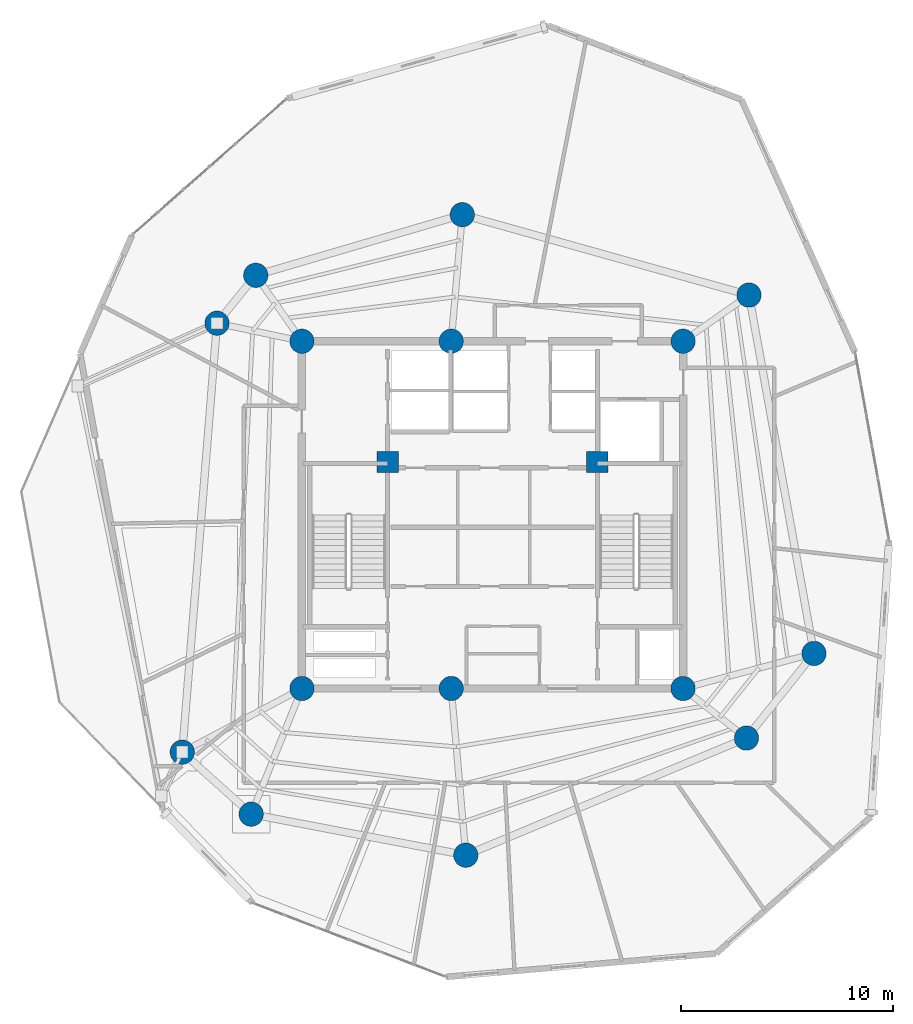
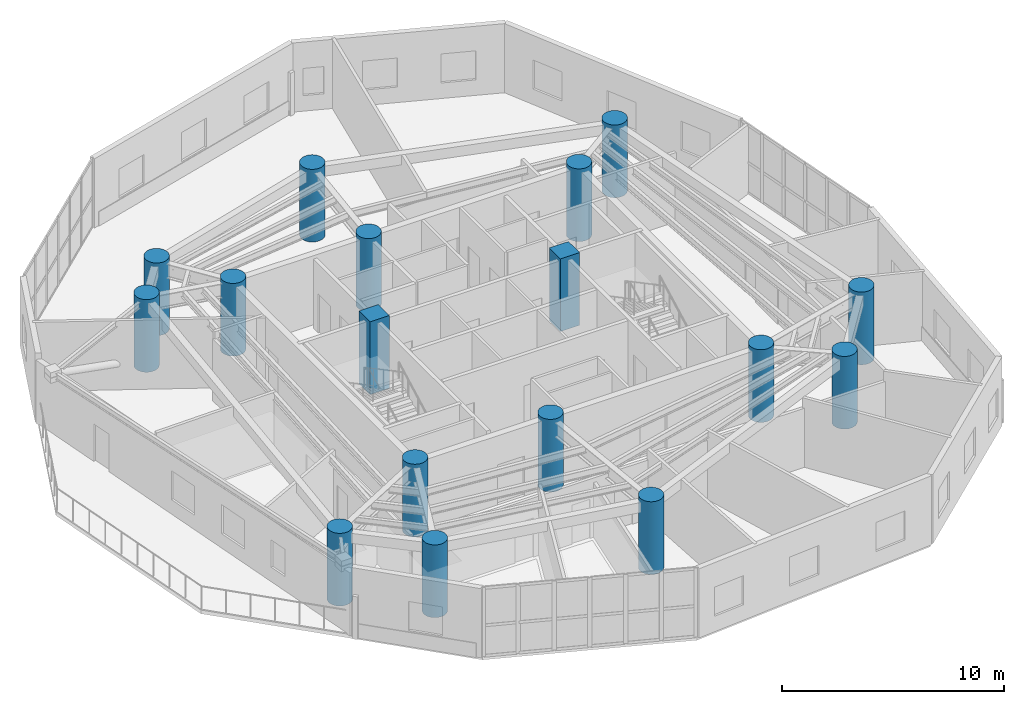
# One storey, part 1 of 12: 17 columns.
"""IFC4 building model written with IfcOpenShell, lengths in metres."""

from ifc_helpers import new_model, si_unit, direction, frame, origin, origin_with_axes, origin_2d, place, context, subcontext, project, spatial, rectangle, circle, extrude, source, transform, mapped, material, material_profile, profile_set, type_object, element, save


model = new_model("IFC4")

# Units and contexts
model_context = context("Model", 3, precision=1e-05, world=origin(), true_north=direction((0.0, 1.0)))
body_context = subcontext(model_context, "Body", "Model", "MODEL_VIEW")
ifc_project = project(units=[si_unit("LENGTHUNIT", "METRE"), si_unit("AREAUNIT", "SQUARE_METRE"), si_unit("VOLUMEUNIT", "CUBIC_METRE"), si_unit("PLANEANGLEUNIT", "RADIAN"), si_unit("MASSUNIT", "GRAM", prefix="KILO")], contexts=[model_context])

# Site, building, storey
site_placement = place(None, origin())
site = spatial("IfcSite", under=ifc_project, at=site_placement, CompositionType="ELEMENT")
building_placement = place(site_placement, origin())
building = spatial("IfcBuilding", under=site, at=building_placement, Name="Karkom Vertical University and Central Library", CompositionType="ELEMENT")
storey_placement = place(building_placement, frame((0.0, 0.0, 212.89990234375)))
storey = spatial("IfcBuildingStorey", under=building, at=storey_placement, Name="L62", CompositionType="ELEMENT", Elevation=212.89990234375)

# Columns
ifc_material_1 = material(Name="Concrete C50/60", Category="concrete")
ifc_material_profile_1 = material_profile(ifc_material_1, rectangle(XDim=1.0, YDim=1.0, at=origin_2d()), Name="RC-1000x1000")
ifc_profile_set_1 = profile_set([ifc_material_profile_1], Name="Concrete C50/60")
column_type_1 = type_object("IfcColumnType", Name="STR-COL-C-CC2", PredefinedType="COLUMN", material=ifc_profile_set_1)
shared_shape_1 = source(origin_with_axes(), body_context, "Body", "SweptSolid", [
    extrude(rectangle(XDim=1.0, YDim=1.0, at=origin_2d()), origin(), (0.0, 0.0, 1.0), 4.0),
])
for number, where, z_axis, x_axis, name in (
    (1, (23.550048828125, 29.0, 0.0), (0.0, 0.0, 1.0), (1.0, 0.0, 0.0), "Level 62 Core Node Column CC-1"),
    (2, (33.449951171875, 29.0, 0.0), (0.0, 0.0, 1.0), (1.0, 0.0, 0.0), "Level 62 Core Node Column CC-2"),
):
    element("IfcColumn", number, at=place(storey_placement, frame(where, z_axis=z_axis, x_axis=x_axis)), inside=storey, type_object=column_type_1, Name=name, PredefinedType="COLUMN", context=body_context, shape_type="MappedRepresentation", body=[
        mapped(shared_shape_1, transform((0.0, 0.0, 0.0), scale=1.0)),
    ])
ifc_material_2 = material(Name="Concrete C45/55", Category="concrete")
ifc_material_profile_2 = material_profile(ifc_material_2, circle(Radius=0.574951171875, at=origin_2d()), Name="CFT-D1150")
ifc_profile_set_2 = profile_set([ifc_material_profile_2], Name="Concrete C45/55")
column_type_2 = type_object("IfcColumnType", Name="STR-COL-C-SC5", PredefinedType="COLUMN", material=ifc_profile_set_2)
shared_shape_2 = source(origin_with_axes(), body_context, "Body", "SweptSolid", [
    extrude(circle(Radius=0.574951171875, at=origin_2d()), origin(), (0.0, 0.0, 1.0), 4.0),
])
for number, where, z_axis, x_axis, name in (
    (3, (19.5, 18.300048828125, 0.0), (0.0, 0.0, 1.0), (1.0, 0.0, 0.0), "Level 62 Spine Mega-Column SC-1"),
    (4, (26.550048828125, 18.300048828125, 0.0), (0.0, 0.0, 1.0), (1.0, 0.0, 0.0), "Level 62 Spine Mega-Column SC-2"),
    (5, (37.5, 18.300048828125, 0.0), (0.0, 0.0, 1.0), (1.0, 0.0, 0.0), "Level 62 Spine Mega-Column SC-3"),
    (6, (19.5, 34.699951171875, 0.0), (0.0, 0.0, 1.0), (1.0, 0.0, 0.0), "Level 62 Spine Mega-Column SC-4"),
    (7, (26.550048828125, 34.699951171875, 0.0), (0.0, 0.0, 1.0), (1.0, 0.0, 0.0), "Level 62 Spine Mega-Column SC-5"),
    (8, (37.5, 34.699951171875, 0.0), (0.0, 0.0, 1.0), (1.0, 0.0, 0.0), "Level 62 Spine Mega-Column SC-6"),
    (9, (43.681884765625, 19.9560546875, 0.0), (0.0, 0.0, 1.0), (1.0, 0.0, 0.0), "Level 62 Perimeter Mega-Column Z4-PC1"),
    (10, (40.613037109375, 36.8798828125, 0.0), (0.0, 0.0, 1.0), (1.0, 0.0, 0.0), "Level 62 Perimeter Mega-Column Z4-PC2"),
    (11, (27.072998046875, 40.677001953125, 0.0), (0.0, 0.0, 1.0), (1.0, 0.0, 0.0), "Level 62 Perimeter Mega-Column Z4-PC3"),
    (12, (17.320068359375, 37.81298828125, 0.0), (0.0, 0.0, 1.0), (1.0, 0.0, 0.0), "Level 62 Perimeter Mega-Column Z4-PC4"),
    (13, (15.489990234375, 35.552001953125, 0.0), (0.0, 0.0, 1.0), (1.0, 0.0, 0.0), "Level 62 Perimeter Mega-Column Z4-PC5"),
    (14, (13.84912109375, 15.294921875, 0.0), (0.0, 0.0, 1.0), (1.0, 0.0, 0.0), "Level 62 Perimeter Mega-Column Z4-PC6"),
    (15, (17.10302734375, 12.365966796875, 0.0), (0.0, 0.0, 1.0), (1.0, 0.0, 0.0), "Level 62 Perimeter Mega-Column Z4-PC7"),
    (16, (27.239013671875, 10.429931640625, 0.0), (0.0, 0.0, 1.0), (1.0, 0.0, 0.0), "Level 62 Perimeter Mega-Column Z4-PC8"),
    (17, (40.493896484375, 15.9599609375, 0.0), (0.0, 0.0, 1.0), (1.0, 0.0, 0.0), "Level 62 Perimeter Mega-Column Z4-PC9"),
):
    element("IfcColumn", number, at=place(storey_placement, frame(where, z_axis=z_axis, x_axis=x_axis)), inside=storey, type_object=column_type_2, Name=name, PredefinedType="COLUMN", context=body_context, shape_type="MappedRepresentation", body=[
        mapped(shared_shape_2, transform((0.0, 0.0, 0.0), scale=1.0)),
    ])

save(model, "model.ifc")
